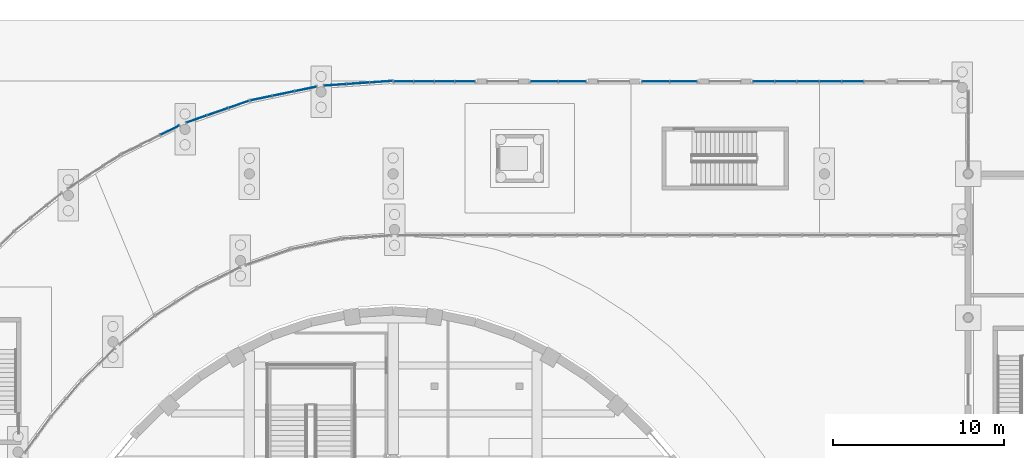
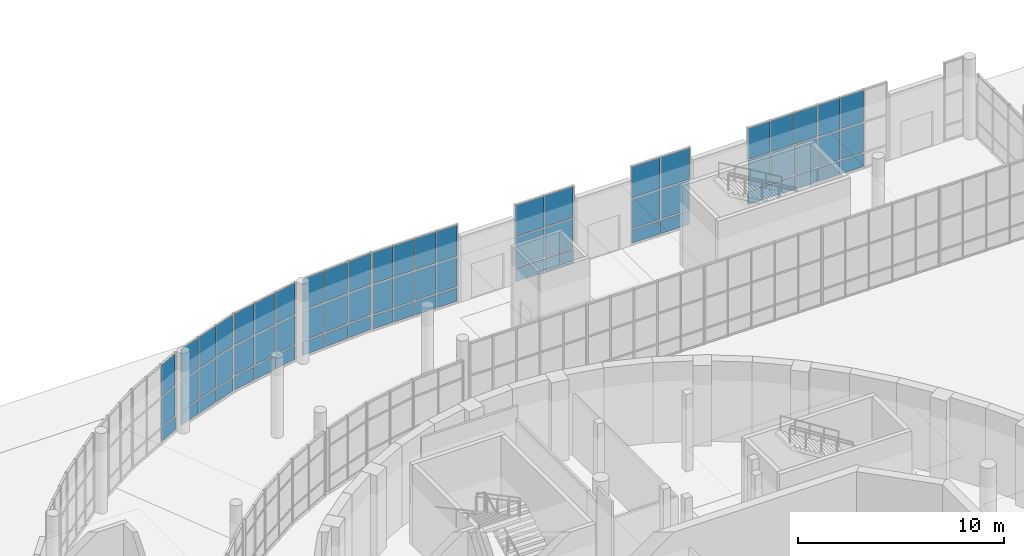
# One storey, part 51 of 110: 69 plates, 8 elements without a shape of their own.
"""IFC4 building model written with IfcOpenShell, lengths in metres."""

from ifc_helpers import new_model, si_unit, direction, frame, origin, origin_2d, place, context, subcontext, project, spatial, rectangle, extrude, material, layer, layer_set, type_object, element, aggregate, save


model = new_model("IFC4")

# Units and contexts
model_context = context("Model", 3, precision=1e-05, world=origin(), true_north=direction((0.0, 1.0)))
body_context = subcontext(model_context, "Body", "Model", "MODEL_VIEW")
ifc_project = project(units=[si_unit("LENGTHUNIT", "METRE"), si_unit("AREAUNIT", "SQUARE_METRE"), si_unit("VOLUMEUNIT", "CUBIC_METRE"), si_unit("PLANEANGLEUNIT", "RADIAN"), si_unit("MASSUNIT", "GRAM", prefix="KILO")], contexts=[model_context])

# Site, building, storey
site_placement = place(None, origin())
site = spatial("IfcSite", under=ifc_project, at=site_placement, CompositionType="ELEMENT")
building_placement = place(site_placement, origin())
building = spatial("IfcBuilding", under=site, at=building_placement, Name="Larchfold Concert Hall", CompositionType="ELEMENT")
storey_placement = place(building_placement, origin())
storey = spatial("IfcBuildingStorey", under=building, at=storey_placement, Name="L00", CompositionType="ELEMENT", Elevation=0.0)

# Curtain wall, plates
ifc_material_1 = material(Name="Anodised graphite aluminium curtain wall", Category="aluminium")
ifc_layer_1 = layer(ifc_material_1, 0.14990234375)
ifc_layer_set_1 = layer_set([ifc_layer_1], Name="Anodised graphite aluminium curtain wall")
curtain_wall_type = type_object("IfcCurtainWallType", Name="Curtain wall WG", PredefinedType="NOTDEFINED", material=ifc_layer_set_1)
curtain_wall_1_placement = place(storey_placement, origin())
curtain_wall_1 = element("IfcCurtainWall", 1, at=curtain_wall_1_placement, inside=storey, type_object=curtain_wall_type, Name="Curtain wall CW0097", PredefinedType="NOTDEFINED")
ifc_material_2 = material(Name="Insulated glazing unit, glass", Category="glass")
ifc_layer_2 = layer(ifc_material_2, 0.028076171875)
ifc_layer_set_2 = layer_set([ifc_layer_2], Name="Insulated glazing unit, glass")
plate_type_1 = type_object("IfcPlateType", Name="Glass panel 28", PredefinedType="CURTAIN_PANEL", material=ifc_layer_set_2)
plate_1_placement = place(storey_placement, frame((69.45751953125, 132.0, 0.93994140625), z_axis=(0.0, 0.0, 1.0), x_axis=(-1.0, 0.0, 0.0)))
plate_1 = element("IfcPlate", 2, at=plate_1_placement, type_object=plate_type_1, Name="CW0097 panel 2.2", PredefinedType="CURTAIN_PANEL", context=body_context, shape_type="SweptSolid", body=[
    extrude(rectangle(XDim=1.2451171875, YDim=0.028076171875, at=origin_2d()), origin(), (0.0, 0.0, 1.0), 1.719970703125),
])
plate_2_placement = place(storey_placement, frame((69.45751953125, 132.0, 2.740234375), z_axis=(0.0, 0.0, 1.0), x_axis=(-1.0, 0.0, 0.0)))
plate_2 = element("IfcPlate", 3, at=plate_2_placement, type_object=plate_type_1, Name="CW0097 panel 2.3", PredefinedType="CURTAIN_PANEL", context=body_context, shape_type="SweptSolid", body=[
    extrude(rectangle(XDim=1.2451171875, YDim=0.028076171875, at=origin_2d()), origin(), (0.0, 0.0, 1.0), 1.829833984375),
])
plate_3_placement = place(storey_placement, frame((68.152587890625, 132.0, 0.93994140625), z_axis=(0.0, 0.0, 1.0), x_axis=(-1.0, 0.0, 0.0)))
plate_3 = element("IfcPlate", 4, at=plate_3_placement, type_object=plate_type_1, Name="CW0097 panel 3.2", PredefinedType="CURTAIN_PANEL", context=body_context, shape_type="SweptSolid", body=[
    extrude(rectangle(XDim=1.2451171875, YDim=0.028076171875, at=origin_2d()), origin(), (0.0, 0.0, 1.0), 1.719970703125),
])
plate_4_placement = place(storey_placement, frame((68.152587890625, 132.0, 2.740234375), z_axis=(0.0, 0.0, 1.0), x_axis=(-1.0, 0.0, 0.0)))
plate_4 = element("IfcPlate", 5, at=plate_4_placement, type_object=plate_type_1, Name="CW0097 panel 3.3", PredefinedType="CURTAIN_PANEL", context=body_context, shape_type="SweptSolid", body=[
    extrude(rectangle(XDim=1.2451171875, YDim=0.028076171875, at=origin_2d()), origin(), (0.0, 0.0, 1.0), 1.829833984375),
])
plate_5_placement = place(storey_placement, frame((66.847412109375, 132.0, 0.93994140625), z_axis=(0.0, 0.0, 1.0), x_axis=(-1.0, 0.0, 0.0)))
plate_5 = element("IfcPlate", 6, at=plate_5_placement, type_object=plate_type_1, Name="CW0097 panel 4.2", PredefinedType="CURTAIN_PANEL", context=body_context, shape_type="SweptSolid", body=[
    extrude(rectangle(XDim=1.2451171875, YDim=0.028076171875, at=origin_2d()), origin(), (0.0, 0.0, 1.0), 1.719970703125),
])
plate_6_placement = place(storey_placement, frame((66.847412109375, 132.0, 2.740234375), z_axis=(0.0, 0.0, 1.0), x_axis=(-1.0, 0.0, 0.0)))
plate_6 = element("IfcPlate", 7, at=plate_6_placement, type_object=plate_type_1, Name="CW0097 panel 4.3", PredefinedType="CURTAIN_PANEL", context=body_context, shape_type="SweptSolid", body=[
    extrude(rectangle(XDim=1.2451171875, YDim=0.028076171875, at=origin_2d()), origin(), (0.0, 0.0, 1.0), 1.829833984375),
])
plate_7_placement = place(storey_placement, frame((65.54248046875, 132.0, 0.93994140625), z_axis=(0.0, 0.0, 1.0), x_axis=(-1.0, 0.0, 0.0)))
plate_7 = element("IfcPlate", 8, at=plate_7_placement, type_object=plate_type_1, Name="CW0097 panel 5.2", PredefinedType="CURTAIN_PANEL", context=body_context, shape_type="SweptSolid", body=[
    extrude(rectangle(XDim=1.2451171875, YDim=0.028076171875, at=origin_2d()), origin(), (0.0, 0.0, 1.0), 1.719970703125),
])
plate_8_placement = place(storey_placement, frame((65.54248046875, 132.0, 2.740234375), z_axis=(0.0, 0.0, 1.0), x_axis=(-1.0, 0.0, 0.0)))
plate_8 = element("IfcPlate", 9, at=plate_8_placement, type_object=plate_type_1, Name="CW0097 panel 5.3", PredefinedType="CURTAIN_PANEL", context=body_context, shape_type="SweptSolid", body=[
    extrude(rectangle(XDim=1.2451171875, YDim=0.028076171875, at=origin_2d()), origin(), (0.0, 0.0, 1.0), 1.829833984375),
])
plate_9_placement = place(storey_placement, frame((64.25244140625, 132.0, 0.93994140625), z_axis=(0.0, 0.0, 1.0), x_axis=(-1.0, 0.0, 0.0)))
plate_9 = element("IfcPlate", 10, at=plate_9_placement, type_object=plate_type_1, Name="CW0097 panel 6.2", PredefinedType="CURTAIN_PANEL", context=body_context, shape_type="SweptSolid", body=[
    extrude(rectangle(XDim=1.215087890625, YDim=0.028076171875, at=origin_2d()), origin(), (0.0, 0.0, 1.0), 1.719970703125),
])
plate_10_placement = place(storey_placement, frame((64.25244140625, 132.0, 2.740234375), z_axis=(0.0, 0.0, 1.0), x_axis=(-1.0, 0.0, 0.0)))
plate_10 = element("IfcPlate", 11, at=plate_10_placement, type_object=plate_type_1, Name="CW0097 panel 6.3", PredefinedType="CURTAIN_PANEL", context=body_context, shape_type="SweptSolid", body=[
    extrude(rectangle(XDim=1.215087890625, YDim=0.028076171875, at=origin_2d()), origin(), (0.0, 0.0, 1.0), 1.829833984375),
])

curtain_wall_2_placement = place(storey_placement, origin())
curtain_wall_2 = element("IfcCurtainWall", 12, at=curtain_wall_2_placement, inside=storey, type_object=curtain_wall_type, Name="Curtain wall CW0098", PredefinedType="NOTDEFINED")
plate_11_placement = place(storey_placement, frame((59.567626953125, 132.0, 0.93994140625), z_axis=(0.0, 0.0, 1.0), x_axis=(-1.0, 0.0, 0.0)))
plate_11 = element("IfcPlate", 13, at=plate_11_placement, type_object=plate_type_1, Name="CW0098 panel 1.2", PredefinedType="CURTAIN_PANEL", context=body_context, shape_type="SweptSolid", body=[
    extrude(rectangle(XDim=1.574951171875, YDim=0.028076171875, at=origin_2d()), origin(), (0.0, 0.0, 1.0), 1.719970703125),
])
plate_12_placement = place(storey_placement, frame((59.567626953125, 132.0, 2.740234375), z_axis=(0.0, 0.0, 1.0), x_axis=(-1.0, 0.0, 0.0)))
plate_12 = element("IfcPlate", 14, at=plate_12_placement, type_object=plate_type_1, Name="CW0098 panel 1.3", PredefinedType="CURTAIN_PANEL", context=body_context, shape_type="SweptSolid", body=[
    extrude(rectangle(XDim=1.574951171875, YDim=0.028076171875, at=origin_2d()), origin(), (0.0, 0.0, 1.0), 1.829833984375),
])
plate_13_placement = place(storey_placement, frame((57.932373046875, 132.0, 0.93994140625), z_axis=(0.0, 0.0, 1.0), x_axis=(-1.0, 0.0, 0.0)))
plate_13 = element("IfcPlate", 15, at=plate_13_placement, type_object=plate_type_1, Name="CW0098 panel 2.2", PredefinedType="CURTAIN_PANEL", context=body_context, shape_type="SweptSolid", body=[
    extrude(rectangle(XDim=1.574951171875, YDim=0.028076171875, at=origin_2d()), origin(), (0.0, 0.0, 1.0), 1.719970703125),
])
plate_14_placement = place(storey_placement, frame((57.932373046875, 132.0, 2.740234375), z_axis=(0.0, 0.0, 1.0), x_axis=(-1.0, 0.0, 0.0)))
plate_14 = element("IfcPlate", 16, at=plate_14_placement, type_object=plate_type_1, Name="CW0098 panel 2.3", PredefinedType="CURTAIN_PANEL", context=body_context, shape_type="SweptSolid", body=[
    extrude(rectangle(XDim=1.574951171875, YDim=0.028076171875, at=origin_2d()), origin(), (0.0, 0.0, 1.0), 1.829833984375),
])

curtain_wall_3_placement = place(storey_placement, origin())
curtain_wall_3 = element("IfcCurtainWall", 17, at=curtain_wall_3_placement, inside=storey, type_object=curtain_wall_type, Name="Curtain wall CW0099", PredefinedType="NOTDEFINED")
plate_15_placement = place(storey_placement, frame((53.067626953125, 132.0, 0.93994140625), z_axis=(0.0, 0.0, 1.0), x_axis=(-1.0, 0.0, 0.0)))
plate_15 = element("IfcPlate", 18, at=plate_15_placement, type_object=plate_type_1, Name="CW0099 panel 1.2", PredefinedType="CURTAIN_PANEL", context=body_context, shape_type="SweptSolid", body=[
    extrude(rectangle(XDim=1.574951171875, YDim=0.028076171875, at=origin_2d()), origin(), (0.0, 0.0, 1.0), 1.719970703125),
])
plate_16_placement = place(storey_placement, frame((53.067626953125, 132.0, 2.740234375), z_axis=(0.0, 0.0, 1.0), x_axis=(-1.0, 0.0, 0.0)))
plate_16 = element("IfcPlate", 19, at=plate_16_placement, type_object=plate_type_1, Name="CW0099 panel 1.3", PredefinedType="CURTAIN_PANEL", context=body_context, shape_type="SweptSolid", body=[
    extrude(rectangle(XDim=1.574951171875, YDim=0.028076171875, at=origin_2d()), origin(), (0.0, 0.0, 1.0), 1.829833984375),
])
plate_17_placement = place(storey_placement, frame((51.432373046875, 132.0, 0.93994140625), z_axis=(0.0, 0.0, 1.0), x_axis=(-1.0, 0.0, 0.0)))
plate_17 = element("IfcPlate", 20, at=plate_17_placement, type_object=plate_type_1, Name="CW0099 panel 2.2", PredefinedType="CURTAIN_PANEL", context=body_context, shape_type="SweptSolid", body=[
    extrude(rectangle(XDim=1.574951171875, YDim=0.028076171875, at=origin_2d()), origin(), (0.0, 0.0, 1.0), 1.719970703125),
])
plate_18_placement = place(storey_placement, frame((51.432373046875, 132.0, 2.740234375), z_axis=(0.0, 0.0, 1.0), x_axis=(-1.0, 0.0, 0.0)))
plate_18 = element("IfcPlate", 21, at=plate_18_placement, type_object=plate_type_1, Name="CW0099 panel 2.3", PredefinedType="CURTAIN_PANEL", context=body_context, shape_type="SweptSolid", body=[
    extrude(rectangle(XDim=1.574951171875, YDim=0.028076171875, at=origin_2d()), origin(), (0.0, 0.0, 1.0), 1.829833984375),
])

curtain_wall_4_placement = place(storey_placement, origin())
curtain_wall_4 = element("IfcCurtainWall", 22, at=curtain_wall_4_placement, inside=storey, type_object=curtain_wall_type, Name="Curtain wall CW0100", PredefinedType="NOTDEFINED")
plate_19_placement = place(storey_placement, frame((46.798095703125, 132.0, 0.93994140625), z_axis=(0.0, 0.0, 1.0), x_axis=(-1.0, 0.0, 0.0)))
plate_19 = element("IfcPlate", 23, at=plate_19_placement, type_object=plate_type_1, Name="CW0100 panel 1.2", PredefinedType="CURTAIN_PANEL", context=body_context, shape_type="SweptSolid", body=[
    extrude(rectangle(XDim=1.11376953125, YDim=0.028076171875, at=origin_2d()), origin(), (0.0, 0.0, 1.0), 1.719970703125),
])
plate_20_placement = place(storey_placement, frame((46.798095703125, 132.0, 2.740234375), z_axis=(0.0, 0.0, 1.0), x_axis=(-1.0, 0.0, 0.0)))
plate_20 = element("IfcPlate", 24, at=plate_20_placement, type_object=plate_type_1, Name="CW0100 panel 1.3", PredefinedType="CURTAIN_PANEL", context=body_context, shape_type="SweptSolid", body=[
    extrude(rectangle(XDim=1.11376953125, YDim=0.028076171875, at=origin_2d()), origin(), (0.0, 0.0, 1.0), 1.829833984375),
])
plate_21_placement = place(storey_placement, frame((45.609375, 132.0, 0.93994140625), z_axis=(0.0, 0.0, 1.0), x_axis=(-1.0, 0.0, 0.0)))
plate_21 = element("IfcPlate", 25, at=plate_21_placement, type_object=plate_type_1, Name="CW0100 panel 2.2", PredefinedType="CURTAIN_PANEL", context=body_context, shape_type="SweptSolid", body=[
    extrude(rectangle(XDim=1.143798828125, YDim=0.028076171875, at=origin_2d()), origin(), (0.0, 0.0, 1.0), 1.719970703125),
])
plate_22_placement = place(storey_placement, frame((45.609375, 132.0, 2.740234375), z_axis=(0.0, 0.0, 1.0), x_axis=(-1.0, 0.0, 0.0)))
plate_22 = element("IfcPlate", 26, at=plate_22_placement, type_object=plate_type_1, Name="CW0100 panel 2.3", PredefinedType="CURTAIN_PANEL", context=body_context, shape_type="SweptSolid", body=[
    extrude(rectangle(XDim=1.143798828125, YDim=0.028076171875, at=origin_2d()), origin(), (0.0, 0.0, 1.0), 1.829833984375),
])
plate_23_placement = place(storey_placement, frame((44.40576171875, 132.0, 0.93994140625), z_axis=(0.0, 0.0, 1.0), x_axis=(-1.0, 0.0, 0.0)))
plate_23 = element("IfcPlate", 27, at=plate_23_placement, type_object=plate_type_1, Name="CW0100 panel 3.2", PredefinedType="CURTAIN_PANEL", context=body_context, shape_type="SweptSolid", body=[
    extrude(rectangle(XDim=1.143798828125, YDim=0.028076171875, at=origin_2d()), origin(), (0.0, 0.0, 1.0), 1.719970703125),
])
plate_24_placement = place(storey_placement, frame((44.40576171875, 132.0, 2.740234375), z_axis=(0.0, 0.0, 1.0), x_axis=(-1.0, 0.0, 0.0)))
plate_24 = element("IfcPlate", 28, at=plate_24_placement, type_object=plate_type_1, Name="CW0100 panel 3.3", PredefinedType="CURTAIN_PANEL", context=body_context, shape_type="SweptSolid", body=[
    extrude(rectangle(XDim=1.143798828125, YDim=0.028076171875, at=origin_2d()), origin(), (0.0, 0.0, 1.0), 1.829833984375),
])
plate_25_placement = place(storey_placement, frame((43.217041015625, 132.0, 0.93994140625), z_axis=(0.0, 0.0, 1.0), x_axis=(-1.0, 0.0, 0.0)))
plate_25 = element("IfcPlate", 29, at=plate_25_placement, type_object=plate_type_1, Name="CW0100 panel 4.2", PredefinedType="CURTAIN_PANEL", context=body_context, shape_type="SweptSolid", body=[
    extrude(rectangle(XDim=1.11376953125, YDim=0.028076171875, at=origin_2d()), origin(), (0.0, 0.0, 1.0), 1.719970703125),
])
plate_26_placement = place(storey_placement, frame((43.217041015625, 132.0, 2.740234375), z_axis=(0.0, 0.0, 1.0), x_axis=(-1.0, 0.0, 0.0)))
plate_26 = element("IfcPlate", 30, at=plate_26_placement, type_object=plate_type_1, Name="CW0100 panel 4.3", PredefinedType="CURTAIN_PANEL", context=body_context, shape_type="SweptSolid", body=[
    extrude(rectangle(XDim=1.11376953125, YDim=0.028076171875, at=origin_2d()), origin(), (0.0, 0.0, 1.0), 1.829833984375),
])

curtain_wall_5_placement = place(storey_placement, origin())
curtain_wall_5 = element("IfcCurtainWall", 31, at=curtain_wall_5_placement, inside=storey, type_object=curtain_wall_type, Name="Curtain wall CW0101", PredefinedType="NOTDEFINED")
plate_27_placement = place(storey_placement, frame((41.906005859375, 131.984130859375, 0.93994140625), z_axis=(0.0, 0.0, 1.0), x_axis=(-0.997629903911, -0.068808246767, 0.0)))
plate_27 = element("IfcPlate", 32, at=plate_27_placement, type_object=plate_type_1, Name="CW0101 panel 1.2", PredefinedType="CURTAIN_PANEL", context=body_context, shape_type="SweptSolid", body=[
    extrude(rectangle(XDim=1.271240234375, YDim=0.028076171875, at=origin_2d()), origin(), (0.0, 0.0, 1.0), 1.719970703125),
])
plate_28_placement = place(storey_placement, frame((41.906005859375, 131.984130859375, 2.740234375), z_axis=(0.0, 0.0, 1.0), x_axis=(-0.997629903911, -0.068808246767, 0.0)))
plate_28 = element("IfcPlate", 33, at=plate_28_placement, type_object=plate_type_1, Name="CW0101 panel 1.3", PredefinedType="CURTAIN_PANEL", context=body_context, shape_type="SweptSolid", body=[
    extrude(rectangle(XDim=1.271240234375, YDim=0.028076171875, at=origin_2d()), origin(), (0.0, 0.0, 1.0), 1.829833984375),
])
plate_29_placement = place(storey_placement, frame((40.56298828125, 131.891357421875, 0.93994140625), z_axis=(0.0, 0.0, 1.0), x_axis=(-0.997629903911, -0.068808246767, 0.0)))
plate_29 = element("IfcPlate", 34, at=plate_29_placement, type_object=plate_type_1, Name="CW0101 panel 2.2", PredefinedType="CURTAIN_PANEL", context=body_context, shape_type="SweptSolid", body=[
    extrude(rectangle(XDim=1.30126953125, YDim=0.028076171875, at=origin_2d()), origin(), (0.0, 0.0, 1.0), 1.719970703125),
])
plate_30_placement = place(storey_placement, frame((40.56298828125, 131.891357421875, 2.740234375), z_axis=(0.0, 0.0, 1.0), x_axis=(-0.997629903911, -0.068808246767, 0.0)))
plate_30 = element("IfcPlate", 35, at=plate_30_placement, type_object=plate_type_1, Name="CW0101 panel 2.3", PredefinedType="CURTAIN_PANEL", context=body_context, shape_type="SweptSolid", body=[
    extrude(rectangle(XDim=1.30126953125, YDim=0.028076171875, at=origin_2d()), origin(), (0.0, 0.0, 1.0), 1.829833984375),
])
plate_31_placement = place(storey_placement, frame((39.219970703125, 131.798828125, 0.93994140625), z_axis=(0.0, 0.0, 1.0), x_axis=(-0.997629903911, -0.068808246767, 0.0)))
plate_31 = element("IfcPlate", 36, at=plate_31_placement, type_object=plate_type_1, Name="CW0101 panel 3.2", PredefinedType="CURTAIN_PANEL", context=body_context, shape_type="SweptSolid", body=[
    extrude(rectangle(XDim=1.271240234375, YDim=0.028076171875, at=origin_2d()), origin(), (0.0, 0.0, 1.0), 1.719970703125),
])
plate_32_placement = place(storey_placement, frame((39.219970703125, 131.798828125, 2.740234375), z_axis=(0.0, 0.0, 1.0), x_axis=(-0.997629903911, -0.068808246767, 0.0)))
plate_32 = element("IfcPlate", 37, at=plate_32_placement, type_object=plate_type_1, Name="CW0101 panel 3.3", PredefinedType="CURTAIN_PANEL", context=body_context, shape_type="SweptSolid", body=[
    extrude(rectangle(XDim=1.271240234375, YDim=0.028076171875, at=origin_2d()), origin(), (0.0, 0.0, 1.0), 1.829833984375),
])

curtain_wall_6_placement = place(storey_placement, origin())
curtain_wall_6 = element("IfcCurtainWall", 38, at=curtain_wall_6_placement, inside=storey, type_object=curtain_wall_type, Name="Curtain wall CW0102", PredefinedType="NOTDEFINED")
plate_33_placement = place(storey_placement, frame((37.492919921875, 131.56201171875, 0.93994140625), z_axis=(0.0, 0.0, 1.0), x_axis=(-0.979170142133, -0.203041455757, 0.0)))
plate_33 = element("IfcPlate", 39, at=plate_33_placement, type_object=plate_type_1, Name="CW0102 panel 1.2", PredefinedType="CURTAIN_PANEL", context=body_context, shape_type="SweptSolid", body=[
    extrude(rectangle(XDim=1.255859375, YDim=0.028076171875, at=origin_2d()), origin(), (0.0, 0.0, 1.0), 1.719970703125),
])
plate_34_placement = place(storey_placement, frame((37.492919921875, 131.56201171875, 2.740234375), z_axis=(0.0, 0.0, 1.0), x_axis=(-0.979170142133, -0.203041455757, 0.0)))
plate_34 = element("IfcPlate", 40, at=plate_34_placement, type_object=plate_type_1, Name="CW0102 panel 1.3", PredefinedType="CURTAIN_PANEL", context=body_context, shape_type="SweptSolid", body=[
    extrude(rectangle(XDim=1.255859375, YDim=0.028076171875, at=origin_2d()), origin(), (0.0, 0.0, 1.0), 1.829833984375),
])
plate_35_placement = place(storey_placement, frame((36.189697265625, 131.291748046875, 0.93994140625), z_axis=(0.0, 0.0, 1.0), x_axis=(-0.979170142133, -0.203041455757, 0.0)))
plate_35 = element("IfcPlate", 41, at=plate_35_placement, type_object=plate_type_1, Name="CW0102 panel 2.2", PredefinedType="CURTAIN_PANEL", context=body_context, shape_type="SweptSolid", body=[
    extrude(rectangle(XDim=1.285888671875, YDim=0.028076171875, at=origin_2d()), origin(), (0.0, 0.0, 1.0), 1.719970703125),
])
plate_36_placement = place(storey_placement, frame((36.189697265625, 131.291748046875, 2.740234375), z_axis=(0.0, 0.0, 1.0), x_axis=(-0.979170142133, -0.203041455757, 0.0)))
plate_36 = element("IfcPlate", 42, at=plate_36_placement, type_object=plate_type_1, Name="CW0102 panel 2.3", PredefinedType="CURTAIN_PANEL", context=body_context, shape_type="SweptSolid", body=[
    extrude(rectangle(XDim=1.285888671875, YDim=0.028076171875, at=origin_2d()), origin(), (0.0, 0.0, 1.0), 1.829833984375),
])
plate_37_placement = place(storey_placement, frame((34.886474609375, 131.021484375, 0.93994140625), z_axis=(0.0, 0.0, 1.0), x_axis=(-0.979170142133, -0.203041455757, 0.0)))
plate_37 = element("IfcPlate", 43, at=plate_37_placement, type_object=plate_type_1, Name="CW0102 panel 3.2", PredefinedType="CURTAIN_PANEL", context=body_context, shape_type="SweptSolid", body=[
    extrude(rectangle(XDim=1.255859375, YDim=0.028076171875, at=origin_2d()), origin(), (0.0, 0.0, 1.0), 1.719970703125),
])
plate_38_placement = place(storey_placement, frame((34.886474609375, 131.021484375, 2.740234375), z_axis=(0.0, 0.0, 1.0), x_axis=(-0.979170142133, -0.203041455757, 0.0)))
plate_38 = element("IfcPlate", 44, at=plate_38_placement, type_object=plate_type_1, Name="CW0102 panel 3.3", PredefinedType="CURTAIN_PANEL", context=body_context, shape_type="SweptSolid", body=[
    extrude(rectangle(XDim=1.255859375, YDim=0.028076171875, at=origin_2d()), origin(), (0.0, 0.0, 1.0), 1.829833984375),
])

curtain_wall_7_placement = place(storey_placement, origin())
curtain_wall_7 = element("IfcCurtainWall", 45, at=curtain_wall_7_placement, inside=storey, type_object=curtain_wall_type, Name="Curtain wall CW0103", PredefinedType="NOTDEFINED")
plate_39_placement = place(storey_placement, frame((33.575927734375, 130.659912109375, 0.93994140625), z_axis=(0.0, 0.0, 1.0), x_axis=(-0.944365190169, -0.328898749766, 0.0)))
plate_39 = element("IfcPlate", 46, at=plate_39_placement, type_object=plate_type_1, Name="CW0103 panel 1.2", PredefinedType="CURTAIN_PANEL", context=body_context, shape_type="SweptSolid", body=[
    extrude(rectangle(XDim=1.228759765625, YDim=0.028076171875, at=origin_2d()), origin(), (0.0, 0.0, 1.0), 1.719970703125),
])
plate_40_placement = place(storey_placement, frame((33.575927734375, 130.659912109375, 2.740234375), z_axis=(0.0, 0.0, 1.0), x_axis=(-0.944365190169, -0.328898749766, 0.0)))
plate_40 = element("IfcPlate", 47, at=plate_40_placement, type_object=plate_type_1, Name="CW0103 panel 1.3", PredefinedType="CURTAIN_PANEL", context=body_context, shape_type="SweptSolid", body=[
    extrude(rectangle(XDim=1.228759765625, YDim=0.028076171875, at=origin_2d()), origin(), (0.0, 0.0, 1.0), 1.829833984375),
])
plate_41_placement = place(storey_placement, frame((32.3447265625, 130.231201171875, 0.93994140625), z_axis=(0.0, 0.0, 1.0), x_axis=(-0.944365190169, -0.328898749766, 0.0)))
plate_41 = element("IfcPlate", 48, at=plate_41_placement, type_object=plate_type_1, Name="CW0103 panel 2.2", PredefinedType="CURTAIN_PANEL", context=body_context, shape_type="SweptSolid", body=[
    extrude(rectangle(XDim=1.2587890625, YDim=0.028076171875, at=origin_2d()), origin(), (0.0, 0.0, 1.0), 1.719970703125),
])
plate_42_placement = place(storey_placement, frame((32.3447265625, 130.231201171875, 2.740234375), z_axis=(0.0, 0.0, 1.0), x_axis=(-0.944365190169, -0.328898749766, 0.0)))
plate_42 = element("IfcPlate", 49, at=plate_42_placement, type_object=plate_type_1, Name="CW0103 panel 2.3", PredefinedType="CURTAIN_PANEL", context=body_context, shape_type="SweptSolid", body=[
    extrude(rectangle(XDim=1.2587890625, YDim=0.028076171875, at=origin_2d()), origin(), (0.0, 0.0, 1.0), 1.829833984375),
])
plate_43_placement = place(storey_placement, frame((31.113525390625, 129.802490234375, 0.93994140625), z_axis=(0.0, 0.0, 1.0), x_axis=(-0.944365190169, -0.328898749766, 0.0)))
plate_43 = element("IfcPlate", 50, at=plate_43_placement, type_object=plate_type_1, Name="CW0103 panel 3.2", PredefinedType="CURTAIN_PANEL", context=body_context, shape_type="SweptSolid", body=[
    extrude(rectangle(XDim=1.228759765625, YDim=0.028076171875, at=origin_2d()), origin(), (0.0, 0.0, 1.0), 1.719970703125),
])
plate_44_placement = place(storey_placement, frame((31.113525390625, 129.802490234375, 2.740234375), z_axis=(0.0, 0.0, 1.0), x_axis=(-0.944365190169, -0.328898749766, 0.0)))
plate_44 = element("IfcPlate", 51, at=plate_44_placement, type_object=plate_type_1, Name="CW0103 panel 3.3", PredefinedType="CURTAIN_PANEL", context=body_context, shape_type="SweptSolid", body=[
    extrude(rectangle(XDim=1.228759765625, YDim=0.028076171875, at=origin_2d()), origin(), (0.0, 0.0, 1.0), 1.829833984375),
])

curtain_wall_8_placement = place(storey_placement, origin())
curtain_wall_8 = element("IfcCurtainWall", 52, at=curtain_wall_8_placement, inside=storey, type_object=curtain_wall_type, Name="Curtain wall CW0104", PredefinedType="NOTDEFINED")
plate_45_placement = place(storey_placement, frame((29.558837890625, 129.15234375, 0.93994140625), z_axis=(0.0, 0.0, 1.0), x_axis=(-0.896826030069, -0.44238339909, 0.0)))
plate_45 = element("IfcPlate", 53, at=plate_45_placement, type_object=plate_type_1, Name="CW0104 panel 1.2", PredefinedType="CURTAIN_PANEL", context=body_context, shape_type="SweptSolid", body=[
    extrude(rectangle(XDim=1.192138671875, YDim=0.028076171875, at=origin_2d()), origin(), (0.0, 0.0, 1.0), 1.719970703125),
])
plate_46_placement = place(storey_placement, frame((29.558837890625, 129.15234375, 2.740234375), z_axis=(0.0, 0.0, 1.0), x_axis=(-0.896826030069, -0.44238339909, 0.0)))
plate_46 = element("IfcPlate", 54, at=plate_46_placement, type_object=plate_type_1, Name="CW0104 panel 1.3", PredefinedType="CURTAIN_PANEL", context=body_context, shape_type="SweptSolid", body=[
    extrude(rectangle(XDim=1.192138671875, YDim=0.028076171875, at=origin_2d()), origin(), (0.0, 0.0, 1.0), 1.829833984375),
])

# Plate
ifc_material_3 = material(Name="White insulated panel")
ifc_layer_3 = layer(ifc_material_3, 0.06005859375)
ifc_layer_set_3 = layer_set([ifc_layer_3], Name="White insulated panel")
plate_type_2 = type_object("IfcPlateType", Name="Insulated spandrel panel 60", PredefinedType="CURTAIN_PANEL", material=ifc_layer_set_3)
plate_47_placement = place(storey_placement, frame((69.45751953125, 132.0, 0.080078125), z_axis=(0.0, 0.0, 1.0), x_axis=(-1.0, 0.0, 0.0)))
plate_47 = element("IfcPlate", 55, at=plate_47_placement, type_object=plate_type_2, Name="CW0097 panel 2.1", PredefinedType="CURTAIN_PANEL", context=body_context, shape_type="SweptSolid", body=[
    extrude(rectangle(XDim=1.2451171875, YDim=0.06005859375, at=origin_2d()), origin(), (0.0, 0.0, 1.0), 0.77978515625),
])

plate_48_placement = place(storey_placement, frame((68.152587890625, 132.0, 0.080078125), z_axis=(0.0, 0.0, 1.0), x_axis=(-1.0, 0.0, 0.0)))
plate_48 = element("IfcPlate", 56, at=plate_48_placement, type_object=plate_type_2, Name="CW0097 panel 3.1", PredefinedType="CURTAIN_PANEL", context=body_context, shape_type="SweptSolid", body=[
    extrude(rectangle(XDim=1.2451171875, YDim=0.06005859375, at=origin_2d()), origin(), (0.0, 0.0, 1.0), 0.77978515625),
])

plate_49_placement = place(storey_placement, frame((66.847412109375, 132.0, 0.080078125), z_axis=(0.0, 0.0, 1.0), x_axis=(-1.0, 0.0, 0.0)))
plate_49 = element("IfcPlate", 57, at=plate_49_placement, type_object=plate_type_2, Name="CW0097 panel 4.1", PredefinedType="CURTAIN_PANEL", context=body_context, shape_type="SweptSolid", body=[
    extrude(rectangle(XDim=1.2451171875, YDim=0.06005859375, at=origin_2d()), origin(), (0.0, 0.0, 1.0), 0.77978515625),
])

plate_50_placement = place(storey_placement, frame((65.54248046875, 132.0, 0.080078125), z_axis=(0.0, 0.0, 1.0), x_axis=(-1.0, 0.0, 0.0)))
plate_50 = element("IfcPlate", 58, at=plate_50_placement, type_object=plate_type_2, Name="CW0097 panel 5.1", PredefinedType="CURTAIN_PANEL", context=body_context, shape_type="SweptSolid", body=[
    extrude(rectangle(XDim=1.2451171875, YDim=0.06005859375, at=origin_2d()), origin(), (0.0, 0.0, 1.0), 0.77978515625),
])

plate_51_placement = place(storey_placement, frame((64.25244140625, 132.0, 0.080078125), z_axis=(0.0, 0.0, 1.0), x_axis=(-1.0, 0.0, 0.0)))
plate_51 = element("IfcPlate", 59, at=plate_51_placement, type_object=plate_type_2, Name="CW0097 panel 6.1", PredefinedType="CURTAIN_PANEL", context=body_context, shape_type="SweptSolid", body=[
    extrude(rectangle(XDim=1.215087890625, YDim=0.06005859375, at=origin_2d()), origin(), (0.0, 0.0, 1.0), 0.77978515625),
])

aggregate(curtain_wall_1, [plate_47, plate_1, plate_2, plate_48, plate_3, plate_4, plate_49, plate_5, plate_6, plate_50, plate_7, plate_8, plate_51, plate_9, plate_10])

plate_52_placement = place(storey_placement, frame((59.567626953125, 132.0, 0.080078125), z_axis=(0.0, 0.0, 1.0), x_axis=(-1.0, 0.0, 0.0)))
plate_52 = element("IfcPlate", 60, at=plate_52_placement, type_object=plate_type_2, Name="CW0098 panel 1.1", PredefinedType="CURTAIN_PANEL", context=body_context, shape_type="SweptSolid", body=[
    extrude(rectangle(XDim=1.574951171875, YDim=0.06005859375, at=origin_2d()), origin(), (0.0, 0.0, 1.0), 0.77978515625),
])

plate_53_placement = place(storey_placement, frame((57.932373046875, 132.0, 0.080078125), z_axis=(0.0, 0.0, 1.0), x_axis=(-1.0, 0.0, 0.0)))
plate_53 = element("IfcPlate", 61, at=plate_53_placement, type_object=plate_type_2, Name="CW0098 panel 2.1", PredefinedType="CURTAIN_PANEL", context=body_context, shape_type="SweptSolid", body=[
    extrude(rectangle(XDim=1.574951171875, YDim=0.06005859375, at=origin_2d()), origin(), (0.0, 0.0, 1.0), 0.77978515625),
])

aggregate(curtain_wall_2, [plate_52, plate_11, plate_12, plate_53, plate_13, plate_14])

plate_54_placement = place(storey_placement, frame((53.067626953125, 132.0, 0.080078125), z_axis=(0.0, 0.0, 1.0), x_axis=(-1.0, 0.0, 0.0)))
plate_54 = element("IfcPlate", 62, at=plate_54_placement, type_object=plate_type_2, Name="CW0099 panel 1.1", PredefinedType="CURTAIN_PANEL", context=body_context, shape_type="SweptSolid", body=[
    extrude(rectangle(XDim=1.574951171875, YDim=0.06005859375, at=origin_2d()), origin(), (0.0, 0.0, 1.0), 0.77978515625),
])

plate_55_placement = place(storey_placement, frame((51.432373046875, 132.0, 0.080078125), z_axis=(0.0, 0.0, 1.0), x_axis=(-1.0, 0.0, 0.0)))
plate_55 = element("IfcPlate", 63, at=plate_55_placement, type_object=plate_type_2, Name="CW0099 panel 2.1", PredefinedType="CURTAIN_PANEL", context=body_context, shape_type="SweptSolid", body=[
    extrude(rectangle(XDim=1.574951171875, YDim=0.06005859375, at=origin_2d()), origin(), (0.0, 0.0, 1.0), 0.77978515625),
])

aggregate(curtain_wall_3, [plate_54, plate_15, plate_16, plate_55, plate_17, plate_18])

plate_56_placement = place(storey_placement, frame((46.798095703125, 132.0, 0.080078125), z_axis=(0.0, 0.0, 1.0), x_axis=(-1.0, 0.0, 0.0)))
plate_56 = element("IfcPlate", 64, at=plate_56_placement, type_object=plate_type_2, Name="CW0100 panel 1.1", PredefinedType="CURTAIN_PANEL", context=body_context, shape_type="SweptSolid", body=[
    extrude(rectangle(XDim=1.11376953125, YDim=0.06005859375, at=origin_2d()), origin(), (0.0, 0.0, 1.0), 0.77978515625),
])

plate_57_placement = place(storey_placement, frame((45.609375, 132.0, 0.080078125), z_axis=(0.0, 0.0, 1.0), x_axis=(-1.0, 0.0, 0.0)))
plate_57 = element("IfcPlate", 65, at=plate_57_placement, type_object=plate_type_2, Name="CW0100 panel 2.1", PredefinedType="CURTAIN_PANEL", context=body_context, shape_type="SweptSolid", body=[
    extrude(rectangle(XDim=1.143798828125, YDim=0.06005859375, at=origin_2d()), origin(), (0.0, 0.0, 1.0), 0.77978515625),
])

plate_58_placement = place(storey_placement, frame((44.40576171875, 132.0, 0.080078125), z_axis=(0.0, 0.0, 1.0), x_axis=(-1.0, 0.0, 0.0)))
plate_58 = element("IfcPlate", 66, at=plate_58_placement, type_object=plate_type_2, Name="CW0100 panel 3.1", PredefinedType="CURTAIN_PANEL", context=body_context, shape_type="SweptSolid", body=[
    extrude(rectangle(XDim=1.143798828125, YDim=0.06005859375, at=origin_2d()), origin(), (0.0, 0.0, 1.0), 0.77978515625),
])

plate_59_placement = place(storey_placement, frame((43.217041015625, 132.0, 0.080078125), z_axis=(0.0, 0.0, 1.0), x_axis=(-1.0, 0.0, 0.0)))
plate_59 = element("IfcPlate", 67, at=plate_59_placement, type_object=plate_type_2, Name="CW0100 panel 4.1", PredefinedType="CURTAIN_PANEL", context=body_context, shape_type="SweptSolid", body=[
    extrude(rectangle(XDim=1.11376953125, YDim=0.06005859375, at=origin_2d()), origin(), (0.0, 0.0, 1.0), 0.77978515625),
])

aggregate(curtain_wall_4, [plate_56, plate_19, plate_20, plate_57, plate_21, plate_22, plate_58, plate_23, plate_24, plate_59, plate_25, plate_26])

plate_60_placement = place(storey_placement, frame((41.906005859375, 131.984130859375, 0.080078125), z_axis=(0.0, 0.0, 1.0), x_axis=(-0.997629903911, -0.068808246767, 0.0)))
plate_60 = element("IfcPlate", 68, at=plate_60_placement, type_object=plate_type_2, Name="CW0101 panel 1.1", PredefinedType="CURTAIN_PANEL", context=body_context, shape_type="SweptSolid", body=[
    extrude(rectangle(XDim=1.271240234375, YDim=0.06005859375, at=origin_2d()), origin(), (0.0, 0.0, 1.0), 0.77978515625),
])

plate_61_placement = place(storey_placement, frame((40.56298828125, 131.891357421875, 0.080078125), z_axis=(0.0, 0.0, 1.0), x_axis=(-0.997629903911, -0.068808246767, 0.0)))
plate_61 = element("IfcPlate", 69, at=plate_61_placement, type_object=plate_type_2, Name="CW0101 panel 2.1", PredefinedType="CURTAIN_PANEL", context=body_context, shape_type="SweptSolid", body=[
    extrude(rectangle(XDim=1.30126953125, YDim=0.06005859375, at=origin_2d()), origin(), (0.0, 0.0, 1.0), 0.77978515625),
])

plate_62_placement = place(storey_placement, frame((39.219970703125, 131.798828125, 0.080078125), z_axis=(0.0, 0.0, 1.0), x_axis=(-0.997629903911, -0.068808246767, 0.0)))
plate_62 = element("IfcPlate", 70, at=plate_62_placement, type_object=plate_type_2, Name="CW0101 panel 3.1", PredefinedType="CURTAIN_PANEL", context=body_context, shape_type="SweptSolid", body=[
    extrude(rectangle(XDim=1.271240234375, YDim=0.06005859375, at=origin_2d()), origin(), (0.0, 0.0, 1.0), 0.77978515625),
])

aggregate(curtain_wall_5, [plate_60, plate_27, plate_28, plate_61, plate_29, plate_30, plate_62, plate_31, plate_32])

plate_63_placement = place(storey_placement, frame((37.492919921875, 131.56201171875, 0.080078125), z_axis=(0.0, 0.0, 1.0), x_axis=(-0.979170142133, -0.203041455757, 0.0)))
plate_63 = element("IfcPlate", 71, at=plate_63_placement, type_object=plate_type_2, Name="CW0102 panel 1.1", PredefinedType="CURTAIN_PANEL", context=body_context, shape_type="SweptSolid", body=[
    extrude(rectangle(XDim=1.255859375, YDim=0.06005859375, at=origin_2d()), origin(), (0.0, 0.0, 1.0), 0.77978515625),
])

plate_64_placement = place(storey_placement, frame((36.189697265625, 131.291748046875, 0.080078125), z_axis=(0.0, 0.0, 1.0), x_axis=(-0.979170142133, -0.203041455757, 0.0)))
plate_64 = element("IfcPlate", 72, at=plate_64_placement, type_object=plate_type_2, Name="CW0102 panel 2.1", PredefinedType="CURTAIN_PANEL", context=body_context, shape_type="SweptSolid", body=[
    extrude(rectangle(XDim=1.285888671875, YDim=0.06005859375, at=origin_2d()), origin(), (0.0, 0.0, 1.0), 0.77978515625),
])

plate_65_placement = place(storey_placement, frame((34.886474609375, 131.021484375, 0.080078125), z_axis=(0.0, 0.0, 1.0), x_axis=(-0.979170142133, -0.203041455757, 0.0)))
plate_65 = element("IfcPlate", 73, at=plate_65_placement, type_object=plate_type_2, Name="CW0102 panel 3.1", PredefinedType="CURTAIN_PANEL", context=body_context, shape_type="SweptSolid", body=[
    extrude(rectangle(XDim=1.255859375, YDim=0.06005859375, at=origin_2d()), origin(), (0.0, 0.0, 1.0), 0.77978515625),
])

aggregate(curtain_wall_6, [plate_63, plate_33, plate_34, plate_64, plate_35, plate_36, plate_65, plate_37, plate_38])

plate_66_placement = place(storey_placement, frame((33.575927734375, 130.659912109375, 0.080078125), z_axis=(0.0, 0.0, 1.0), x_axis=(-0.944365190169, -0.328898749766, 0.0)))
plate_66 = element("IfcPlate", 74, at=plate_66_placement, type_object=plate_type_2, Name="CW0103 panel 1.1", PredefinedType="CURTAIN_PANEL", context=body_context, shape_type="SweptSolid", body=[
    extrude(rectangle(XDim=1.228759765625, YDim=0.06005859375, at=origin_2d()), origin(), (0.0, 0.0, 1.0), 0.77978515625),
])

plate_67_placement = place(storey_placement, frame((32.3447265625, 130.231201171875, 0.080078125), z_axis=(0.0, 0.0, 1.0), x_axis=(-0.944365190169, -0.328898749766, 0.0)))
plate_67 = element("IfcPlate", 75, at=plate_67_placement, type_object=plate_type_2, Name="CW0103 panel 2.1", PredefinedType="CURTAIN_PANEL", context=body_context, shape_type="SweptSolid", body=[
    extrude(rectangle(XDim=1.2587890625, YDim=0.06005859375, at=origin_2d()), origin(), (0.0, 0.0, 1.0), 0.77978515625),
])

plate_68_placement = place(storey_placement, frame((31.113525390625, 129.802490234375, 0.080078125), z_axis=(0.0, 0.0, 1.0), x_axis=(-0.944365190169, -0.328898749766, 0.0)))
plate_68 = element("IfcPlate", 76, at=plate_68_placement, type_object=plate_type_2, Name="CW0103 panel 3.1", PredefinedType="CURTAIN_PANEL", context=body_context, shape_type="SweptSolid", body=[
    extrude(rectangle(XDim=1.228759765625, YDim=0.06005859375, at=origin_2d()), origin(), (0.0, 0.0, 1.0), 0.77978515625),
])

aggregate(curtain_wall_7, [plate_66, plate_39, plate_40, plate_67, plate_41, plate_42, plate_68, plate_43, plate_44])

plate_69_placement = place(storey_placement, frame((29.558837890625, 129.15234375, 0.080078125), z_axis=(0.0, 0.0, 1.0), x_axis=(-0.896826030069, -0.44238339909, 0.0)))
plate_69 = element("IfcPlate", 77, at=plate_69_placement, type_object=plate_type_2, Name="CW0104 panel 1.1", PredefinedType="CURTAIN_PANEL", context=body_context, shape_type="SweptSolid", body=[
    extrude(rectangle(XDim=1.192138671875, YDim=0.06005859375, at=origin_2d()), origin(), (0.0, 0.0, 1.0), 0.77978515625),
])

aggregate(curtain_wall_8, [plate_69, plate_45, plate_46])

save(model, "model.ifc")
